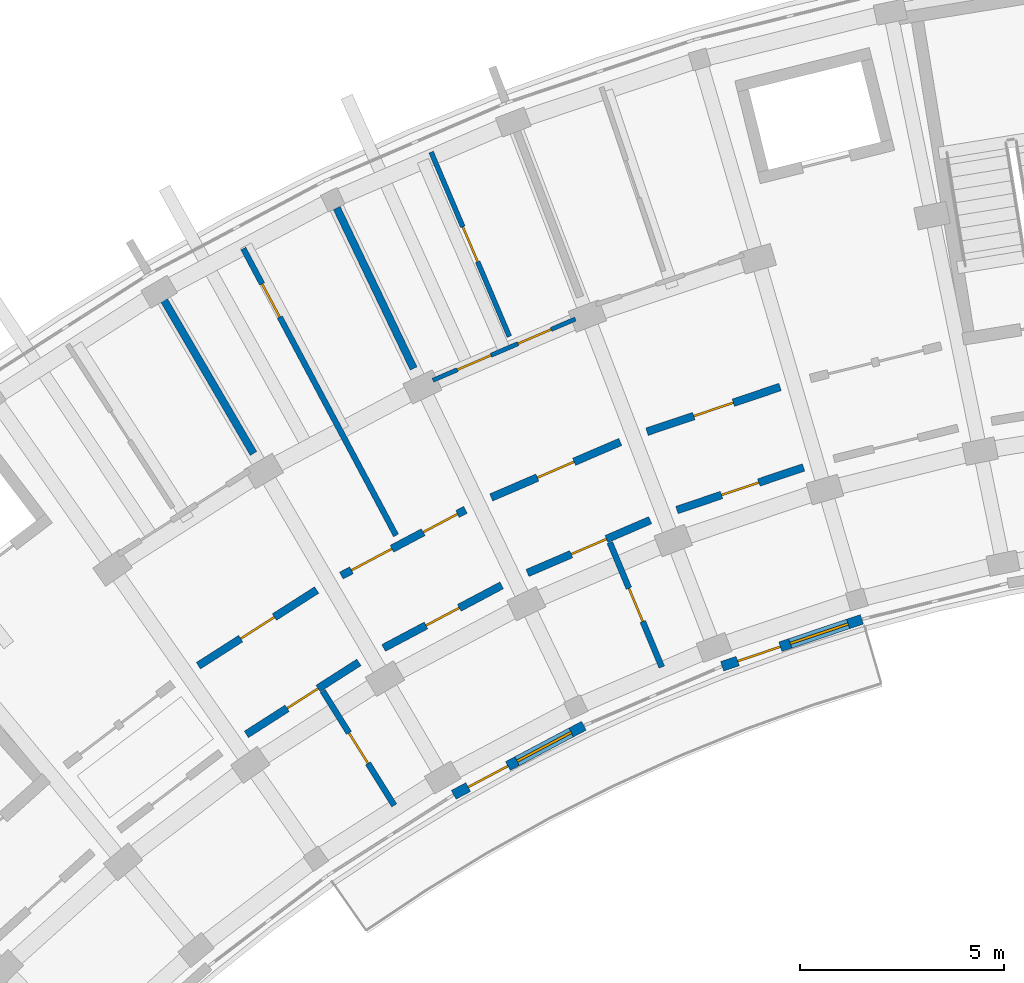
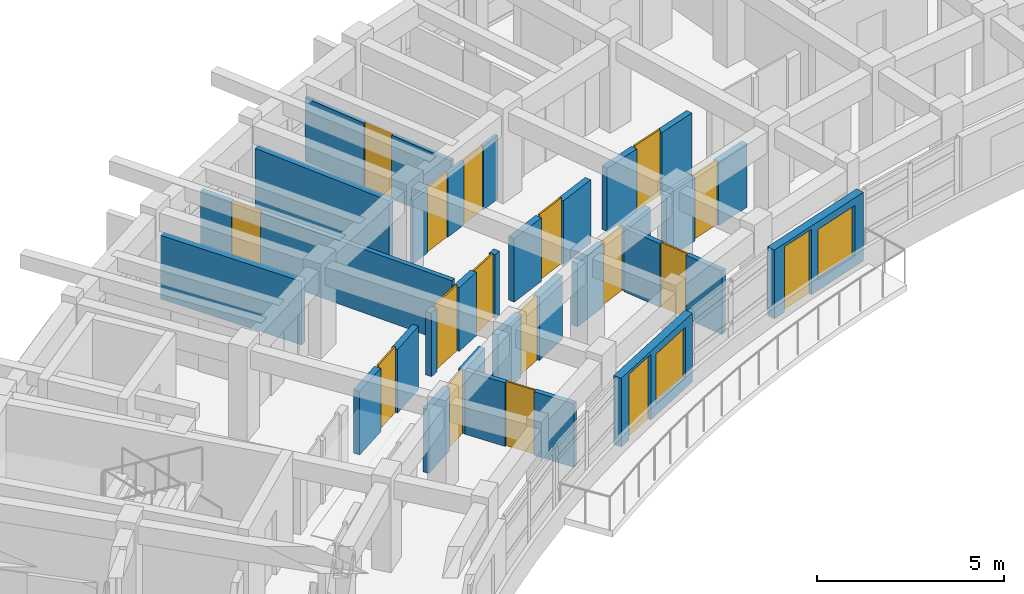
# One storey, part 28 of 56: 17 doors, 17 walls, 2 windows, 19 openings.
"""IFC4 building model written with IfcOpenShell, lengths in metres."""

from ifc_helpers import new_model, si_unit, direction, frame, frame_2d, origin, place, context, subcontext, project, spatial, rectangle, extrude, material, layer, layer_set, type_object, element, fill, save


model = new_model("IFC4")

# Units and contexts
model_context = context("Model", 3, precision=1e-05, world=origin(), true_north=direction((0.0, 1.0)))
body_context = subcontext(model_context, "Body", "Model", "MODEL_VIEW")
ifc_project = project(units=[si_unit("LENGTHUNIT", "METRE"), si_unit("AREAUNIT", "SQUARE_METRE"), si_unit("VOLUMEUNIT", "CUBIC_METRE"), si_unit("PLANEANGLEUNIT", "RADIAN"), si_unit("MASSUNIT", "GRAM", prefix="KILO")], contexts=[model_context])

# Site, building, storey
site_placement = place(None, origin())
site = spatial("IfcSite", under=ifc_project, at=site_placement, CompositionType="ELEMENT")
building_placement = place(site_placement, origin())
building = spatial("IfcBuilding", under=site, at=building_placement, Name="Zimvara Arc Housing Community", CompositionType="ELEMENT")
storey_placement = place(building_placement, frame((0.0, 0.0, 17.39990234375)))
storey = spatial("IfcBuildingStorey", under=building, at=storey_placement, Name="L05", CompositionType="ELEMENT", Elevation=17.39990234375)

# Wall, openings, door, window
ifc_material_1 = material(Name="Pigmented Fair-Faced Concrete C35/45", Category="concrete")
ifc_layer_1 = layer(ifc_material_1, 0.2451171875)
ifc_layer_set_1 = layer_set([ifc_layer_1], Name="Pigmented Fair-Faced Concrete C35/45")
wall_type_1 = type_object("IfcWallType", Name="EWL-PIGM-245", PredefinedType="SOLIDWALL", material=ifc_layer_set_1)
wall_1_placement = place(storey_placement, frame((22.51904296875, 83.0419921875, 0.0), z_axis=(0.0, 0.0, 1.0), x_axis=(0.883438308286, 0.468547495407, 0.0)))
wall_1 = element("IfcWall", 1, at=wall_1_placement, inside=storey, type_object=wall_type_1, Name="ewall:blkA:L05:in:b4", PredefinedType="SOLIDWALL", context=body_context, shape_type="SweptSolid", body=[
    extrude(rectangle(XDim=3.603759765625, YDim=0.2451171875, at=frame_2d((1.8017578125, 0.0))), origin(), (0.0, 0.0, 1.0), 2.25),
])
opening_1_placement = place(wall_1_placement, frame((0.39990234375, 0.0, 0.0)))
opening_1 = element("IfcOpeningElement", 2, at=opening_1_placement, cuts=wall_1, Name="Opening ED06", PredefinedType="OPENING", context=body_context, shape_type="SweptSolid", body=[
    extrude(rectangle(XDim=1.10009765625, YDim=2.14990234375, at=frame_2d((0.550048828125, 1.074951171875))), frame((0.0, 0.132568359375, 0.0), z_axis=(0.0, -1.0, 0.0), x_axis=(1.0, 0.0, 0.0)), (0.0, 0.0, 1.0), 0.26513671875),
])
opening_2_placement = place(wall_1_placement, frame((1.753662109375, 0.0, 0.35009765625)))
opening_2 = element("IfcOpeningElement", 3, at=opening_2_placement, cuts=wall_1, Name="Opening W07", PredefinedType="OPENING", context=body_context, shape_type="SweptSolid", body=[
    extrude(rectangle(XDim=1.5, YDim=1.64990234375, at=frame_2d((0.75, 0.824951171875))), frame((0.0, 0.132568359375, 0.0), z_axis=(0.0, -1.0, 0.0), x_axis=(1.0, 0.0, 0.0)), (0.0, 0.0, 1.0), 0.26513671875),
])
ifc_material_2 = material(Name="Anodised Aluminium AW-6063", Category="aluminium")
door_type_1 = type_object("IfcDoorType", Name="EDR-TERR-1100x2150", OperationType="NOTDEFINED", PredefinedType="DOOR", material=ifc_material_2)
door_1_placement = place(opening_1_placement, origin())
door_1 = element("IfcDoor", 4, at=door_1_placement, inside=storey, type_object=door_type_1, Name="edoor:blkA:L05:bal_in:b4", OperationType="SINGLE_SWING_RIGHT", OverallHeight=2.14990234375, OverallWidth=1.10009765625, PredefinedType="DOOR", context=body_context, shape_type="SweptSolid", body=[
    extrude(rectangle(XDim=1.10009765625, YDim=2.14990234375, at=frame_2d((0.550048828125, 1.074951171875))), frame((0.0, 0.02490234375, 0.0), z_axis=(0.0, -1.0, 0.0), x_axis=(1.0, 0.0, 0.0)), (0.0, 0.0, 1.0), 0.050048828125),
])
fill(opening_1, door_1)
ifc_material_3 = material(Name="Solar Control Low-E Double Glazing", Category="glass")
window_type = type_object("IfcWindowType", Name="WIN-RES-1500x1650", PartitioningType="DOUBLE_PANEL_VERTICAL", PredefinedType="WINDOW", material=ifc_material_3)
window_1_placement = place(opening_2_placement, origin())
window_1 = element("IfcWindow", 5, at=window_1_placement, inside=storey, type_object=window_type, Name="win:blkA:L05:in:b4:balw", OverallHeight=1.64990234375, OverallWidth=1.5, PartitioningType="DOUBLE_PANEL_VERTICAL", PredefinedType="WINDOW", context=body_context, shape_type="SweptSolid", body=[
    extrude(rectangle(XDim=1.5, YDim=1.64990234375, at=frame_2d((0.75, 0.824951171875))), frame((0.0, 0.030029296875, 0.0), z_axis=(0.0, -1.0, 0.0), x_axis=(1.0, 0.0, 0.0)), (0.0, 0.0, 1.0), 0.06005859375),
])
fill(opening_2, window_1)

wall_2_placement = place(storey_placement, frame((29.086669921875, 86.18505859375, 0.0), z_axis=(0.0, 0.0, 1.0), x_axis=(0.947880824442, 0.318625081649, 0.0)))
wall_2 = element("IfcWall", 6, at=wall_2_placement, inside=storey, type_object=wall_type_1, Name="ewall:blkA:L05:in:b6", PredefinedType="SOLIDWALL", context=body_context, shape_type="SweptSolid", body=[
    extrude(rectangle(XDim=3.603515625, YDim=0.2451171875, at=frame_2d((1.8017578125, 0.0))), origin(), (0.0, 0.0, 1.0), 2.25),
])
opening_3_placement = place(wall_2_placement, frame((0.39990234375, 0.0, 0.0)))
opening_3 = element("IfcOpeningElement", 7, at=opening_3_placement, cuts=wall_2, Name="Opening ED06", PredefinedType="OPENING", context=body_context, shape_type="SweptSolid", body=[
    extrude(rectangle(XDim=1.10009765625, YDim=2.14990234375, at=frame_2d((0.550048828125, 1.074951171875))), frame((0.0, 0.132568359375, 0.0), z_axis=(0.0, -1.0, 0.0), x_axis=(1.0, 0.0, 0.0)), (0.0, 0.0, 1.0), 0.26513671875),
])
opening_4_placement = place(wall_2_placement, frame((1.753662109375, 0.0, 0.35009765625)))
opening_4 = element("IfcOpeningElement", 8, at=opening_4_placement, cuts=wall_2, Name="Opening W07", PredefinedType="OPENING", context=body_context, shape_type="SweptSolid", body=[
    extrude(rectangle(XDim=1.5, YDim=1.64990234375, at=frame_2d((0.75, 0.824951171875))), frame((0.0, 0.132568359375, 0.0), z_axis=(0.0, -1.0, 0.0), x_axis=(1.0, 0.0, 0.0)), (0.0, 0.0, 1.0), 0.26513671875),
])
door_2_placement = place(opening_3_placement, origin())
door_2 = element("IfcDoor", 9, at=door_2_placement, inside=storey, type_object=door_type_1, Name="edoor:blkA:L05:bal_in:b6", OperationType="SINGLE_SWING_RIGHT", OverallHeight=2.14990234375, OverallWidth=1.10009765625, PredefinedType="DOOR", context=body_context, shape_type="SweptSolid", body=[
    extrude(rectangle(XDim=1.10009765625, YDim=2.14990234375, at=frame_2d((0.550048828125, 1.074951171875))), frame((0.0, 0.02490234375, 0.0), z_axis=(0.0, -1.0, 0.0), x_axis=(1.0, 0.0, 0.0)), (0.0, 0.0, 1.0), 0.050048828125),
])
fill(opening_3, door_2)
window_2_placement = place(opening_4_placement, origin())
window_2 = element("IfcWindow", 10, at=window_2_placement, inside=storey, type_object=window_type, Name="win:blkA:L05:in:b6:balw", OverallHeight=1.64990234375, OverallWidth=1.5, PartitioningType="DOUBLE_PANEL_VERTICAL", PredefinedType="WINDOW", context=body_context, shape_type="SweptSolid", body=[
    extrude(rectangle(XDim=1.5, YDim=1.64990234375, at=frame_2d((0.75, 0.824951171875))), frame((0.0, 0.030029296875, 0.0), z_axis=(0.0, -1.0, 0.0), x_axis=(1.0, 0.0, 0.0)), (0.0, 0.0, 1.0), 0.06005859375),
])
fill(opening_4, window_2)

# Wall, opening, door
ifc_material_4 = material(Name="Concrete C35/45", Category="concrete")
ifc_layer_2 = layer(ifc_material_4, 0.18994140625)
ifc_layer_set_2 = layer_set([ifc_layer_2], Name="Concrete C35/45")
wall_type_2 = type_object("IfcWallType", Name="IWL-CORR-190", PredefinedType="SOLIDWALL", material=ifc_layer_set_2)
wall_3_placement = place(storey_placement, frame((16.272216796875, 86.198974609375, 0.0), z_axis=(0.0, 0.0, 1.0), x_axis=(0.842257205985, 0.539075874963, 0.0)))
wall_3 = element("IfcWall", 11, at=wall_3_placement, inside=storey, type_object=wall_type_2, Name="iwall:blkA:L05:corr_out:b3", PredefinedType="SOLIDWALL", context=body_context, shape_type="SweptSolid", body=[
    extrude(rectangle(XDim=3.43603515625, YDim=0.18994140625, at=frame_2d((1.718017578125, 0.0))), origin(), (0.0, 0.0, 1.0), 2.080078125),
])
opening_5_placement = place(wall_3_placement, frame((1.22802734375, 0.0, 0.0)))
opening_5 = element("IfcOpeningElement", 12, at=opening_5_placement, cuts=wall_3, Name="Opening FD-FL1", PredefinedType="OPENING", context=body_context, shape_type="SweptSolid", body=[
    extrude(rectangle(XDim=0.97998046875, YDim=2.14990234375, at=frame_2d((0.489990234375, 1.074951171875))), frame((0.0, 0.10498046875, 0.0), z_axis=(0.0, -1.0, 0.0), x_axis=(1.0, 0.0, 0.0)), (0.0, 0.0, 1.0), 0.2099609375),
])
ifc_material_5 = material(Name="Mozambican Hardwood", Category="wood")
door_type_2 = type_object("IfcDoorType", Name="IDR-FLAT-0980x2150", OperationType="NOTDEFINED", PredefinedType="DOOR", material=ifc_material_5)
door_3_placement = place(opening_5_placement, origin())
door_3 = element("IfcDoor", 13, at=door_3_placement, inside=storey, type_object=door_type_2, Name="idoor:blkA:L05:flat:b3", OperationType="SINGLE_SWING_LEFT", OverallHeight=2.14990234375, OverallWidth=0.97998046875, PredefinedType="DOOR", context=body_context, shape_type="SweptSolid", body=[
    extrude(rectangle(XDim=0.97998046875, YDim=2.14990234375, at=frame_2d((0.489990234375, 1.074951171875))), frame((0.0, 0.02490234375, 0.0), z_axis=(0.0, -1.0, 0.0), x_axis=(1.0, 0.0, 0.0)), (0.0, 0.0, 1.0), 0.050048828125),
])
fill(opening_5, door_3)

wall_4_placement = place(storey_placement, frame((17.44677734375, 84.518798828125, 0.0), z_axis=(0.0, 0.0, 1.0), x_axis=(0.842225276846, 0.539125758095, 0.0)))
wall_4 = element("IfcWall", 14, at=wall_4_placement, inside=storey, type_object=wall_type_2, Name="iwall:blkA:L05:corr_in:b3", PredefinedType="SOLIDWALL", context=body_context, shape_type="SweptSolid", body=[
    extrude(rectangle(XDim=3.2685546875, YDim=0.18994140625, at=frame_2d((1.63427734375, 0.0))), origin(), (0.0, 0.0, 1.0), 2.080078125),
])
opening_6_placement = place(wall_4_placement, frame((1.184326171875, 0.0, 0.0)))
opening_6 = element("IfcOpeningElement", 15, at=opening_6_placement, cuts=wall_4, Name="Opening D01", PredefinedType="OPENING", context=body_context, shape_type="SweptSolid", body=[
    extrude(rectangle(XDim=0.89990234375, YDim=2.10009765625, at=frame_2d((0.449951171875, 1.050048828125))), frame((0.0, 0.10498046875, 0.0), z_axis=(0.0, -1.0, 0.0), x_axis=(1.0, 0.0, 0.0)), (0.0, 0.0, 1.0), 0.2099609375),
])
ifc_material_6 = material(Name="Mozambican Hardwood", Category="wood")
door_type_3 = type_object("IfcDoorType", Name="IDR-RM-0900x2100", OperationType="NOTDEFINED", PredefinedType="DOOR", material=ifc_material_6)
door_4_placement = place(opening_6_placement, origin())
door_4 = element("IfcDoor", 16, at=door_4_placement, inside=storey, type_object=door_type_3, Name="idoor:blkA:L05:in_rm:b3", OperationType="SINGLE_SWING_RIGHT", OverallHeight=2.10009765625, OverallWidth=0.89990234375, PredefinedType="DOOR", context=body_context, shape_type="SweptSolid", body=[
    extrude(rectangle(XDim=0.89990234375, YDim=2.10009765625, at=frame_2d((0.449951171875, 1.050048828125))), frame((0.0, 0.02490234375, 0.0), z_axis=(0.0, -1.0, 0.0), x_axis=(1.0, 0.0, 0.0)), (0.0, 0.0, 1.0), 0.050048828125),
])
fill(opening_6, door_4)

# Wall, openings, doors
wall_5_placement = place(storey_placement, frame((19.770263671875, 88.40380859375, 0.0), z_axis=(0.0, 0.0, 1.0), x_axis=(0.883410853063, 0.468599258099, 0.0)))
wall_5 = element("IfcWall", 17, at=wall_5_placement, inside=storey, type_object=wall_type_2, Name="iwall:blkA:L05:corr_out:b4", PredefinedType="SOLIDWALL", context=body_context, shape_type="SweptSolid", body=[
    extrude(rectangle(XDim=3.43603515625, YDim=0.18994140625, at=frame_2d((1.718017578125, 0.0))), origin(), (0.0, 0.0, 1.0), 2.080078125),
])
opening_7_placement = place(wall_5_placement, frame((0.280029296875, 0.0, 0.0)))
opening_7 = element("IfcOpeningElement", 18, at=opening_7_placement, cuts=wall_5, Name="Opening D07", PredefinedType="OPENING", context=body_context, shape_type="SweptSolid", body=[
    extrude(rectangle(XDim=1.1201171875, YDim=2.14990234375, at=frame_2d((0.56005859375, 1.074951171875))), frame((0.0, 0.10498046875, 0.0), z_axis=(0.0, -1.0, 0.0), x_axis=(1.0, 0.0, 0.0)), (0.0, 0.0, 1.0), 0.2099609375),
])
opening_8_placement = place(wall_5_placement, frame((2.26611328125, 0.0, 0.0)))
opening_8 = element("IfcOpeningElement", 19, at=opening_8_placement, cuts=wall_5, Name="Opening D06", PredefinedType="OPENING", context=body_context, shape_type="SweptSolid", body=[
    extrude(rectangle(XDim=0.949951171875, YDim=2.10009765625, at=frame_2d((0.47509765625, 1.050048828125))), frame((0.0, 0.10498046875, 0.0), z_axis=(0.0, -1.0, 0.0), x_axis=(1.0, 0.0, 0.0)), (0.0, 0.0, 1.0), 0.2099609375),
])
ifc_material_7 = material(Name="Mozambican Hardwood", Category="wood")
door_type_4 = type_object("IfcDoorType", Name="IDR-AMN-1120x2150", OperationType="NOTDEFINED", PredefinedType="DOOR", material=ifc_material_7)
door_5_placement = place(opening_7_placement, origin())
door_5 = element("IfcDoor", 20, at=door_5_placement, inside=storey, type_object=door_type_4, Name="idoor:blkA:L05:amen:b4", OperationType="SINGLE_SWING_LEFT", OverallHeight=2.14990234375, OverallWidth=1.1201171875, PredefinedType="DOOR", context=body_context, shape_type="SweptSolid", body=[
    extrude(rectangle(XDim=1.1201171875, YDim=2.14990234375, at=frame_2d((0.56005859375, 1.074951171875))), frame((0.0, 0.02490234375, 0.0), z_axis=(0.0, -1.0, 0.0), x_axis=(1.0, 0.0, 0.0)), (0.0, 0.0, 1.0), 0.050048828125),
])
fill(opening_7, door_5)
ifc_material_8 = material(Name="Mozambican Hardwood", Category="wood")
door_type_5 = type_object("IfcDoorType", Name="IDR-AWC-0950x2100", OperationType="NOTDEFINED", PredefinedType="DOOR", material=ifc_material_8)
door_6_placement = place(opening_8_placement, origin())
door_6 = element("IfcDoor", 21, at=door_6_placement, inside=storey, type_object=door_type_5, Name="idoor:blkA:L05:cawc:b4", OperationType="SINGLE_SWING_RIGHT", OverallHeight=2.10009765625, OverallWidth=0.949951171875, PredefinedType="DOOR", context=body_context, shape_type="SweptSolid", body=[
    extrude(rectangle(XDim=0.949951171875, YDim=2.10009765625, at=frame_2d((0.47509765625, 1.050048828125))), frame((0.0, 0.02490234375, 0.0), z_axis=(0.0, -1.0, 0.0), x_axis=(1.0, 0.0, 0.0)), (0.0, 0.0, 1.0), 0.050048828125),
])
fill(opening_8, door_6)

# Wall, opening, door
wall_6_placement = place(storey_placement, frame((20.8037109375, 86.633544921875, 0.0), z_axis=(0.0, 0.0, 1.0), x_axis=(0.883444301944, 0.468536194293, 0.0)))
wall_6 = element("IfcWall", 22, at=wall_6_placement, inside=storey, type_object=wall_type_2, Name="iwall:blkA:L05:corr_in:b4", PredefinedType="SOLIDWALL", context=body_context, shape_type="SweptSolid", body=[
    extrude(rectangle(XDim=3.268798828125, YDim=0.18994140625, at=frame_2d((1.63427734375, 0.0))), origin(), (0.0, 0.0, 1.0), 2.080078125),
])
opening_9_placement = place(wall_6_placement, frame((1.17431640625, 0.0, 0.0)))
opening_9 = element("IfcOpeningElement", 23, at=opening_9_placement, cuts=wall_6, Name="Opening D02", PredefinedType="OPENING", context=body_context, shape_type="SweptSolid", body=[
    extrude(rectangle(XDim=0.919921875, YDim=2.10009765625, at=frame_2d((0.4599609375, 1.050048828125))), frame((0.0, 0.10498046875, 0.0), z_axis=(0.0, -1.0, 0.0), x_axis=(1.0, 0.0, 0.0)), (0.0, 0.0, 1.0), 0.2099609375),
])
ifc_material_9 = material(Name="Mozambican Hardwood", Category="wood")
door_type_6 = type_object("IfcDoorType", Name="IDR-RM-0920x2100", OperationType="NOTDEFINED", PredefinedType="DOOR", material=ifc_material_9)
door_7_placement = place(opening_9_placement, origin())
door_7 = element("IfcDoor", 24, at=door_7_placement, inside=storey, type_object=door_type_6, Name="idoor:blkA:L05:in_rm:b4", OperationType="SINGLE_SWING_LEFT", OverallHeight=2.10009765625, OverallWidth=0.919921875, PredefinedType="DOOR", context=body_context, shape_type="SweptSolid", body=[
    extrude(rectangle(XDim=0.919921875, YDim=2.10009765625, at=frame_2d((0.4599609375, 1.050048828125))), frame((0.0, 0.02490234375, 0.0), z_axis=(0.0, -1.0, 0.0), x_axis=(1.0, 0.0, 0.0)), (0.0, 0.0, 1.0), 0.050048828125),
])
fill(opening_9, door_7)

wall_7_placement = place(storey_placement, frame((23.4365234375, 90.31591796875, 0.0), z_axis=(0.0, 0.0, 1.0), x_axis=(0.918718172399, 0.394913813008, 0.0)))
wall_7 = element("IfcWall", 25, at=wall_7_placement, inside=storey, type_object=wall_type_2, Name="iwall:blkA:L05:corr_out:b5", PredefinedType="SOLIDWALL", context=body_context, shape_type="SweptSolid", body=[
    extrude(rectangle(XDim=3.43603515625, YDim=0.18994140625, at=frame_2d((1.718017578125, 0.0))), origin(), (0.0, 0.0, 1.0), 2.080078125),
])
opening_10_placement = place(wall_7_placement, frame((1.22802734375, 0.0, 0.0)))
opening_10 = element("IfcOpeningElement", 26, at=opening_10_placement, cuts=wall_7, Name="Opening FD-FL1", PredefinedType="OPENING", context=body_context, shape_type="SweptSolid", body=[
    extrude(rectangle(XDim=0.97998046875, YDim=2.14990234375, at=frame_2d((0.489990234375, 1.074951171875))), frame((0.0, 0.10498046875, 0.0), z_axis=(0.0, -1.0, 0.0), x_axis=(1.0, 0.0, 0.0)), (0.0, 0.0, 1.0), 0.2099609375),
])
door_8_placement = place(opening_10_placement, origin())
door_8 = element("IfcDoor", 27, at=door_8_placement, inside=storey, type_object=door_type_2, Name="idoor:blkA:L05:flat:b5", OperationType="SINGLE_SWING_LEFT", OverallHeight=2.14990234375, OverallWidth=0.97998046875, PredefinedType="DOOR", context=body_context, shape_type="SweptSolid", body=[
    extrude(rectangle(XDim=0.97998046875, YDim=2.14990234375, at=frame_2d((0.489990234375, 1.074951171875))), frame((0.0, 0.02490234375, 0.0), z_axis=(0.0, -1.0, 0.0), x_axis=(1.0, 0.0, 0.0)), (0.0, 0.0, 1.0), 0.050048828125),
])
fill(opening_10, door_8)

wall_8_placement = place(storey_placement, frame((24.322265625, 88.46728515625, 0.0), z_axis=(0.0, 0.0, 1.0), x_axis=(0.918723391052, 0.394901672235, 0.0)))
wall_8 = element("IfcWall", 28, at=wall_8_placement, inside=storey, type_object=wall_type_2, Name="iwall:blkA:L05:corr_in:b5", PredefinedType="SOLIDWALL", context=body_context, shape_type="SweptSolid", body=[
    extrude(rectangle(XDim=3.2685546875, YDim=0.18994140625, at=frame_2d((1.63427734375, 0.0))), origin(), (0.0, 0.0, 1.0), 2.080078125),
])
opening_11_placement = place(wall_8_placement, frame((1.164306640625, 0.0, 0.0)))
opening_11 = element("IfcOpeningElement", 29, at=opening_11_placement, cuts=wall_8, Name="Opening D03", PredefinedType="OPENING", context=body_context, shape_type="SweptSolid", body=[
    extrude(rectangle(XDim=0.93994140625, YDim=2.10009765625, at=frame_2d((0.469970703125, 1.050048828125))), frame((0.0, 0.10498046875, 0.0), z_axis=(0.0, -1.0, 0.0), x_axis=(1.0, 0.0, 0.0)), (0.0, 0.0, 1.0), 0.2099609375),
])
ifc_material_10 = material(Name="Mozambican Hardwood", Category="wood")
door_type_7 = type_object("IfcDoorType", Name="IDR-RM-0940x2100", OperationType="NOTDEFINED", PredefinedType="DOOR", material=ifc_material_10)
door_9_placement = place(opening_11_placement, origin())
door_9 = element("IfcDoor", 30, at=door_9_placement, inside=storey, type_object=door_type_7, Name="idoor:blkA:L05:in_rm:b5", OperationType="SINGLE_SWING_RIGHT", OverallHeight=2.10009765625, OverallWidth=0.93994140625, PredefinedType="DOOR", context=body_context, shape_type="SweptSolid", body=[
    extrude(rectangle(XDim=0.93994140625, YDim=2.10009765625, at=frame_2d((0.469970703125, 1.050048828125))), frame((0.0, 0.02490234375, 0.0), z_axis=(0.0, -1.0, 0.0), x_axis=(1.0, 0.0, 0.0)), (0.0, 0.0, 1.0), 0.050048828125),
])
fill(opening_11, door_9)

wall_9_placement = place(storey_placement, frame((27.24658203125, 91.922607421875, 0.0), z_axis=(0.0, 0.0, 1.0), x_axis=(0.947863007629, 0.318678080151, 0.0)))
wall_9 = element("IfcWall", 31, at=wall_9_placement, inside=storey, type_object=wall_type_2, Name="iwall:blkA:L05:corr_out:b6", PredefinedType="SOLIDWALL", context=body_context, shape_type="SweptSolid", body=[
    extrude(rectangle(XDim=3.43603515625, YDim=0.18994140625, at=frame_2d((1.718017578125, 0.0))), origin(), (0.0, 0.0, 1.0), 2.080078125),
])
opening_12_placement = place(wall_9_placement, frame((1.2080078125, 0.0, 0.0)))
opening_12 = element("IfcOpeningElement", 32, at=opening_12_placement, cuts=wall_9, Name="Opening FD-FL2", PredefinedType="OPENING", context=body_context, shape_type="SweptSolid", body=[
    extrude(rectangle(XDim=1.02001953125, YDim=2.14990234375, at=frame_2d((0.510009765625, 1.074951171875))), frame((0.0, 0.10498046875, 0.0), z_axis=(0.0, -1.0, 0.0), x_axis=(1.0, 0.0, 0.0)), (0.0, 0.0, 1.0), 0.2099609375),
])
ifc_material_11 = material(Name="Mozambican Hardwood", Category="wood")
door_type_8 = type_object("IfcDoorType", Name="IDR-FLAT-1020x2150", OperationType="NOTDEFINED", PredefinedType="DOOR", material=ifc_material_11)
door_10_placement = place(opening_12_placement, origin())
door_10 = element("IfcDoor", 33, at=door_10_placement, inside=storey, type_object=door_type_8, Name="idoor:blkA:L05:flat:b6", OperationType="SINGLE_SWING_LEFT", OverallHeight=2.14990234375, OverallWidth=1.02001953125, PredefinedType="DOOR", context=body_context, shape_type="SweptSolid", body=[
    extrude(rectangle(XDim=1.02001953125, YDim=2.14990234375, at=frame_2d((0.510009765625, 1.074951171875))), frame((0.0, 0.02490234375, 0.0), z_axis=(0.0, -1.0, 0.0), x_axis=(1.0, 0.0, 0.0)), (0.0, 0.0, 1.0), 0.050048828125),
])
fill(opening_12, door_10)

wall_10_placement = place(storey_placement, frame((27.978515625, 90.0078125, 0.0), z_axis=(0.0, 0.0, 1.0), x_axis=(0.94787351033, 0.318646839643, 0.0)))
wall_10 = element("IfcWall", 34, at=wall_10_placement, inside=storey, type_object=wall_type_2, Name="iwall:blkA:L05:corr_in:b6", PredefinedType="SOLIDWALL", context=body_context, shape_type="SweptSolid", body=[
    extrude(rectangle(XDim=3.2685546875, YDim=0.18994140625, at=frame_2d((1.63427734375, 0.0))), origin(), (0.0, 0.0, 1.0), 2.080078125),
])
opening_13_placement = place(wall_10_placement, frame((1.154296875, 0.0, 0.0)))
opening_13 = element("IfcOpeningElement", 35, at=opening_13_placement, cuts=wall_10, Name="Opening D04", PredefinedType="OPENING", context=body_context, shape_type="SweptSolid", body=[
    extrude(rectangle(XDim=0.9599609375, YDim=2.10009765625, at=frame_2d((0.47998046875, 1.050048828125))), frame((0.0, 0.10498046875, 0.0), z_axis=(0.0, -1.0, 0.0), x_axis=(1.0, 0.0, 0.0)), (0.0, 0.0, 1.0), 0.2099609375),
])
ifc_material_12 = material(Name="Mozambican Hardwood", Category="wood")
door_type_9 = type_object("IfcDoorType", Name="IDR-RM-0960x2100", OperationType="NOTDEFINED", PredefinedType="DOOR", material=ifc_material_12)
door_11_placement = place(opening_13_placement, origin())
door_11 = element("IfcDoor", 36, at=door_11_placement, inside=storey, type_object=door_type_9, Name="idoor:blkA:L05:in_rm:b6", OperationType="SINGLE_SWING_RIGHT", OverallHeight=2.10009765625, OverallWidth=0.9599609375, PredefinedType="DOOR", context=body_context, shape_type="SweptSolid", body=[
    extrude(rectangle(XDim=0.9599609375, YDim=2.10009765625, at=frame_2d((0.47998046875, 1.050048828125))), frame((0.0, 0.02490234375, 0.0), z_axis=(0.0, -1.0, 0.0), x_axis=(1.0, 0.0, 0.0)), (0.0, 0.0, 1.0), 0.050048828125),
])
fill(opening_13, door_11)

# Walls
ifc_material_13 = material(Name="Concrete C35/45", Category="concrete")
ifc_layer_3 = layer(ifc_material_13, 0.18505859375)
ifc_layer_set_3 = layer_set([ifc_layer_3], Name="Concrete C35/45")
wall_type_3 = type_object("IfcWallType", Name="IWL-FLAT-185", PredefinedType="SOLIDWALL", material=ifc_layer_set_3)
for number, where, z_axis, x_axis, name in (
    (37, (17.62060546875, 91.391845703125, 0.0), (0.0, 0.0, 1.0), (-0.504216452091, 0.863577309475, 0.0), "iwall:blkA:L05:party:b4"),
    (38, (21.537841796875, 93.469482421875, 0.0), (0.0, 0.0, 1.0), (-0.432086898897, 0.901831975371, 0.0), "iwall:blkA:L05:party:b5"),
):
    element("IfcWall", number, at=place(storey_placement, frame(where, z_axis=z_axis, x_axis=x_axis)), inside=storey, type_object=wall_type_3, Name=name, PredefinedType="SOLIDWALL", context=body_context, shape_type="SweptSolid", body=[
        extrude(rectangle(XDim=4.35009765625, YDim=0.18505859375, at=frame_2d((2.175048828125, 0.0))), origin(), (0.0, 0.0, 1.0), 2.080078125),
    ])

# Wall, openings, doors
ifc_material_14 = material(Name="Painted Acoustic Plasterboard")
ifc_layer_4 = layer(ifc_material_14, 0.10498046875)
ifc_layer_set_4 = layer_set([ifc_layer_4], Name="Painted Acoustic Plasterboard")
wall_type_4 = type_object("IfcWallType", Name="IWL-PART-105", PredefinedType="PARTITIONING", material=ifc_layer_set_4)
wall_11_placement = place(storey_placement, frame((22.0078125, 93.18212890625, 0.0), z_axis=(0.0, 0.0, 1.0), x_axis=(0.918732171064, 0.394881245253, 0.0)))
wall_11 = element("IfcWall", 39, at=wall_11_placement, inside=storey, type_object=wall_type_4, Name="iwall:blkA:L05:srv:b5", PredefinedType="PARTITIONING", context=body_context, shape_type="SweptSolid", body=[
    extrude(rectangle(XDim=3.79736328125, YDim=0.10498046875, at=frame_2d((1.898681640625, 0.0))), origin(), (0.0, 0.0, 1.0), 2.080078125),
])
opening_14_placement = place(wall_11_placement, frame((0.64990234375, 0.0, 0.0)))
opening_14 = element("IfcOpeningElement", 40, at=opening_14_placement, cuts=wall_11, Name="Opening D01", PredefinedType="OPENING", context=body_context, shape_type="SweptSolid", body=[
    extrude(rectangle(XDim=0.89990234375, YDim=2.10009765625, at=frame_2d((0.449951171875, 1.050048828125))), frame((0.0, 0.0625, 0.0), z_axis=(0.0, -1.0, 0.0), x_axis=(1.0, 0.0, 0.0)), (0.0, 0.0, 1.0), 0.125),
])
opening_15_placement = place(wall_11_placement, frame((2.267333984375, 0.0, 0.0)))
opening_15 = element("IfcOpeningElement", 41, at=opening_15_placement, cuts=wall_11, Name="Opening D05", PredefinedType="OPENING", context=body_context, shape_type="SweptSolid", body=[
    extrude(rectangle(XDim=0.8798828125, YDim=2.10009765625, at=frame_2d((0.43994140625, 1.050048828125))), frame((0.0, 0.0625, 0.0), z_axis=(0.0, -1.0, 0.0), x_axis=(1.0, 0.0, 0.0)), (0.0, 0.0, 1.0), 0.125),
])
door_12_placement = place(opening_14_placement, origin())
door_12 = element("IfcDoor", 42, at=door_12_placement, inside=storey, type_object=door_type_3, Name="idoor:blkA:L05:kit_liv:b5", OperationType="SINGLE_SWING_RIGHT", OverallHeight=2.10009765625, OverallWidth=0.89990234375, PredefinedType="DOOR", context=body_context, shape_type="SweptSolid", body=[
    extrude(rectangle(XDim=0.89990234375, YDim=2.10009765625, at=frame_2d((0.449951171875, 1.050048828125))), frame((0.0, 0.02490234375, 0.0), z_axis=(0.0, -1.0, 0.0), x_axis=(1.0, 0.0, 0.0)), (0.0, 0.0, 1.0), 0.050048828125),
])
fill(opening_14, door_12)
ifc_material_15 = material(Name="Mozambican Hardwood", Category="wood")
door_type_10 = type_object("IfcDoorType", Name="IDR-WC-0880x2100", OperationType="NOTDEFINED", PredefinedType="DOOR", material=ifc_material_15)
door_13_placement = place(opening_15_placement, origin())
door_13 = element("IfcDoor", 43, at=door_13_placement, inside=storey, type_object=door_type_10, Name="idoor:blkA:L05:bath_d:b5", OperationType="SINGLE_SWING_LEFT", OverallHeight=2.10009765625, OverallWidth=0.8798828125, PredefinedType="DOOR", context=body_context, shape_type="SweptSolid", body=[
    extrude(rectangle(XDim=0.8798828125, YDim=2.10009765625, at=frame_2d((0.43994140625, 1.050048828125))), frame((0.0, 0.02490234375, 0.0), z_axis=(0.0, -1.0, 0.0), x_axis=(1.0, 0.0, 0.0)), (0.0, 0.0, 1.0), 0.050048828125),
])
fill(opening_15, door_13)

# Wall, opening, door
ifc_material_16 = material(Name="Painted Acoustic Plasterboard")
ifc_layer_5 = layer(ifc_material_16, 0.1201171875)
ifc_layer_set_5 = layer_set([ifc_layer_5], Name="Painted Acoustic Plasterboard")
wall_type_5 = type_object("IfcWallType", Name="IWL-PART-120", PredefinedType="PARTITIONING", material=ifc_layer_set_5)
wall_12_placement = place(storey_placement, frame((23.88037109375, 94.2529296875, 0.0), z_axis=(0.0, 0.0, 1.0), x_axis=(-0.39076607415, 0.920490019116, 0.0)))
wall_12 = element("IfcWall", 44, at=wall_12_placement, inside=storey, type_object=wall_type_5, Name="iwall:blkA:L05:bed_div:b5", PredefinedType="PARTITIONING", context=body_context, shape_type="SweptSolid", body=[
    extrude(rectangle(XDim=4.900146484375, YDim=0.1201171875, at=frame_2d((2.4501953125, 0.0))), origin(), (0.0, 0.0, 1.0), 2.080078125),
])
opening_16_placement = place(wall_12_placement, frame((1.985107421875, 0.0, 0.0)))
opening_16 = element("IfcOpeningElement", 45, at=opening_16_placement, cuts=wall_12, Name="Opening D13", PredefinedType="OPENING", context=body_context, shape_type="SweptSolid", body=[
    extrude(rectangle(XDim=0.929931640625, YDim=2.10009765625, at=frame_2d((0.46484375, 1.050048828125))), frame((0.0, 0.070068359375, 0.0), z_axis=(0.0, -1.0, 0.0), x_axis=(1.0, 0.0, 0.0)), (0.0, 0.0, 1.0), 0.14013671875),
])
ifc_material_17 = material(Name="Mozambican Hardwood", Category="wood")
door_type_11 = type_object("IfcDoorType", Name="IDR-MOD-930x2180", OperationType="NOTDEFINED", PredefinedType="DOOR", material=ifc_material_17)
door_14_placement = place(opening_16_placement, origin())
door_14 = element("IfcDoor", 46, at=door_14_placement, inside=storey, type_object=door_type_11, Name="idoor:blkA:L05:bed_d:b5", OperationType="SINGLE_SWING_RIGHT", OverallHeight=2.10009765625, OverallWidth=0.929931640625, PredefinedType="DOOR", context=body_context, shape_type="SweptSolid", body=[
    extrude(rectangle(XDim=0.929931640625, YDim=2.10009765625, at=frame_2d((0.46484375, 1.050048828125))), frame((0.0, 0.02490234375, 0.0), z_axis=(0.0, -1.0, 0.0), x_axis=(1.0, 0.0, 0.0)), (0.0, 0.0, 1.0), 0.050048828125),
])
fill(opening_16, door_14)

ifc_material_18 = material(Name="Painted Acoustic Plasterboard")
ifc_layer_6 = layer(ifc_material_18, 0.139892578125)
ifc_layer_set_6 = layer_set([ifc_layer_6], Name="Painted Acoustic Plasterboard")
wall_type_6 = type_object("IfcWallType", Name="IWL-PART-140", PredefinedType="PARTITIONING", material=ifc_layer_set_6)
wall_13_placement = place(storey_placement, frame((21.106689453125, 89.386962890625, 0.0), z_axis=(0.0, 0.0, 1.0), x_axis=(-0.469891538074, 0.882724159886, 0.0)))
wall_13 = element("IfcWall", 47, at=wall_13_placement, inside=storey, type_object=wall_type_6, Name="iwall:blkA:L05:amen_div:b4", PredefinedType="PARTITIONING", context=body_context, shape_type="SweptSolid", body=[
    extrude(rectangle(XDim=7.949951171875, YDim=0.139892578125, at=frame_2d((3.97509765625, 0.0))), origin(), (0.0, 0.0, 1.0), 2.080078125),
])
opening_17_placement = place(wall_13_placement, frame((6.050048828125, 0.0, 0.0)))
opening_17 = element("IfcOpeningElement", 48, at=opening_17_placement, cuts=wall_13, Name="Opening D02", PredefinedType="OPENING", context=body_context, shape_type="SweptSolid", body=[
    extrude(rectangle(XDim=0.919921875, YDim=2.10009765625, at=frame_2d((0.4599609375, 1.050048828125))), frame((0.0, 0.079833984375, 0.0), z_axis=(0.0, -1.0, 0.0), x_axis=(1.0, 0.0, 0.0)), (0.0, 0.0, 1.0), 0.159912109375),
])
door_15_placement = place(opening_17_placement, origin())
door_15 = element("IfcDoor", 49, at=door_15_placement, inside=storey, type_object=door_type_6, Name="idoor:blkA:L05:laund_d:b4", OperationType="SINGLE_SWING_RIGHT", OverallHeight=2.10009765625, OverallWidth=0.919921875, PredefinedType="DOOR", context=body_context, shape_type="SweptSolid", body=[
    extrude(rectangle(XDim=0.919921875, YDim=2.10009765625, at=frame_2d((0.4599609375, 1.050048828125))), frame((0.0, 0.02490234375, 0.0), z_axis=(0.0, -1.0, 0.0), x_axis=(1.0, 0.0, 0.0)), (0.0, 0.0, 1.0), 0.050048828125),
])
fill(opening_17, door_15)

ifc_material_19 = material(Name="Painted Acoustic Plasterboard")
ifc_layer_7 = layer(ifc_material_19, 0.14501953125)
ifc_layer_set_7 = layer_set([ifc_layer_7], Name="Painted Acoustic Plasterboard")
wall_type_7 = type_object("IfcWallType", Name="IWL-WET-145", PredefinedType="PARTITIONING", material=ifc_layer_set_7)
wall_14_placement = place(storey_placement, frame((21.06396484375, 82.782958984375, 0.0), z_axis=(0.0, 0.0, 1.0), x_axis=(-0.53015188203, 0.847902696057, 0.0)))
wall_14 = element("IfcWall", 50, at=wall_14_placement, inside=storey, type_object=wall_type_7, Name="iwall:blkA:L05:ens:b3", PredefinedType="PARTITIONING", context=body_context, shape_type="SweptSolid", body=[
    extrude(rectangle(XDim=3.300048828125, YDim=0.14501953125, at=frame_2d((1.64990234375, 0.0))), origin(), (0.0, 0.0, 1.0), 2.080078125),
])
opening_18_placement = place(wall_14_placement, frame((1.2099609375, 0.0, 0.0)))
opening_18 = element("IfcOpeningElement", 51, at=opening_18_placement, cuts=wall_14, Name="Opening D05", PredefinedType="OPENING", context=body_context, shape_type="SweptSolid", body=[
    extrude(rectangle(XDim=0.8798828125, YDim=2.10009765625, at=frame_2d((0.43994140625, 1.050048828125))), frame((0.0, 0.08251953125, 0.0), z_axis=(0.0, -1.0, 0.0), x_axis=(1.0, 0.0, 0.0)), (0.0, 0.0, 1.0), 0.1650390625),
])
door_16_placement = place(opening_18_placement, origin())
door_16 = element("IfcDoor", 52, at=door_16_placement, inside=storey, type_object=door_type_10, Name="idoor:blkA:L05:ens_d:b3", OperationType="SINGLE_SWING_LEFT", OverallHeight=2.10009765625, OverallWidth=0.8798828125, PredefinedType="DOOR", context=body_context, shape_type="SweptSolid", body=[
    extrude(rectangle(XDim=0.8798828125, YDim=2.10009765625, at=frame_2d((0.43994140625, 1.050048828125))), frame((0.0, 0.02490234375, 0.0), z_axis=(0.0, -1.0, 0.0), x_axis=(1.0, 0.0, 0.0)), (0.0, 0.0, 1.0), 0.050048828125),
])
fill(opening_18, door_16)

wall_15_placement = place(storey_placement, frame((27.60888671875, 86.166259765625, 0.0), z_axis=(0.0, 0.0, 1.0), x_axis=(-0.385151143297, 0.922853507777, 0.0)))
wall_15 = element("IfcWall", 53, at=wall_15_placement, inside=storey, type_object=wall_type_7, Name="iwall:blkA:L05:ens:b5", PredefinedType="PARTITIONING", context=body_context, shape_type="SweptSolid", body=[
    extrude(rectangle(XDim=3.300048828125, YDim=0.14501953125, at=frame_2d((1.64990234375, 0.0))), origin(), (0.0, 0.0, 1.0), 2.080078125),
])
opening_19_placement = place(wall_15_placement, frame((1.2099609375, 0.0, 0.0)))
opening_19 = element("IfcOpeningElement", 54, at=opening_19_placement, cuts=wall_15, Name="Opening D05", PredefinedType="OPENING", context=body_context, shape_type="SweptSolid", body=[
    extrude(rectangle(XDim=0.8798828125, YDim=2.10009765625, at=frame_2d((0.43994140625, 1.050048828125))), frame((0.0, 0.08251953125, 0.0), z_axis=(0.0, -1.0, 0.0), x_axis=(1.0, 0.0, 0.0)), (0.0, 0.0, 1.0), 0.1650390625),
])
door_17_placement = place(opening_19_placement, origin())
door_17 = element("IfcDoor", 55, at=door_17_placement, inside=storey, type_object=door_type_10, Name="idoor:blkA:L05:ens_d:b5", OperationType="SINGLE_SWING_LEFT", OverallHeight=2.10009765625, OverallWidth=0.8798828125, PredefinedType="DOOR", context=body_context, shape_type="SweptSolid", body=[
    extrude(rectangle(XDim=0.8798828125, YDim=2.10009765625, at=frame_2d((0.43994140625, 1.050048828125))), frame((0.0, 0.02490234375, 0.0), z_axis=(0.0, -1.0, 0.0), x_axis=(1.0, 0.0, 0.0)), (0.0, 0.0, 1.0), 0.050048828125),
])
fill(opening_19, door_17)

save(model, "model.ifc")
